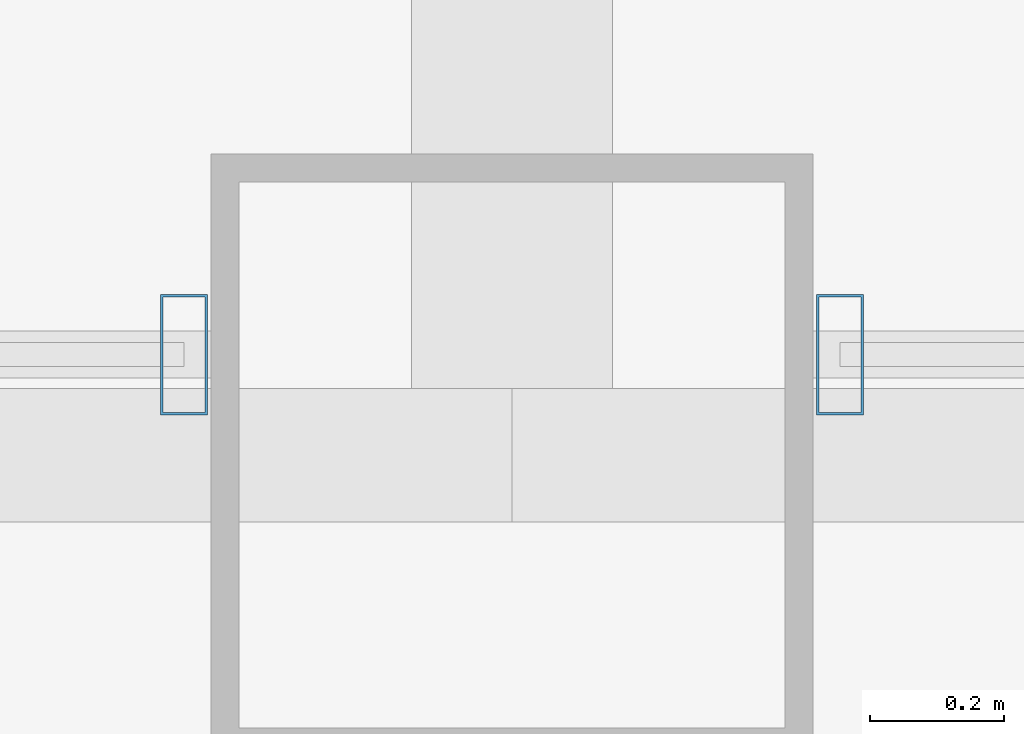
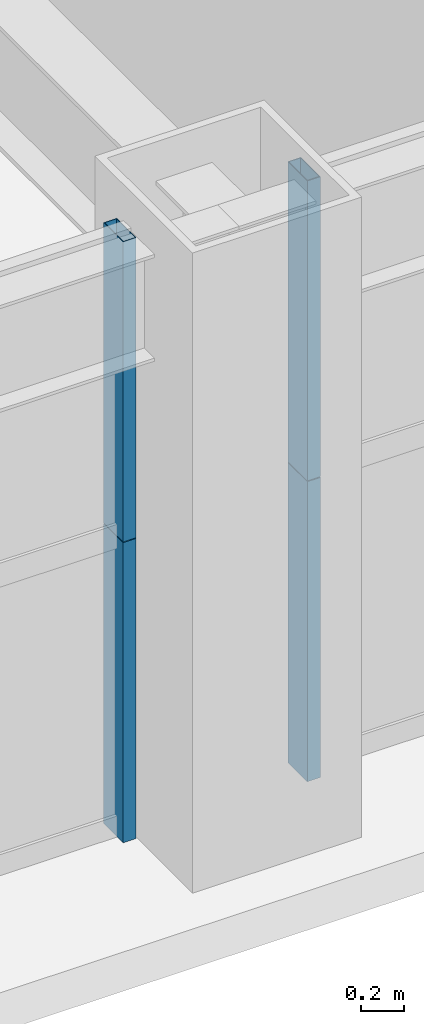
# One storey, part 10 of 39: 4 members, 2 elements without a shape of their own.
"""IFC4 building model written with IfcOpenShell, lengths in metres."""

import ifcopenshell
import ifcopenshell.guid

model = None  # the IFC model being written
_history = None  # IfcOwnerHistory: only IFC2X3 demands one
_inside = {}  # id of a spatial element -> (the spatial element, [elements in it])
_under = {}  # id of a project, library or spatial element -> (it, [spatial elements below it])
_declared = {}  # id of a project -> (the project, [libraries it declares])
_typed = {}  # id of a type object -> (the type object, [elements of that type])
_made_of = {}  # id of a material, layer set ... -> (it, [elements and type objects made of it])


def new_model(schema):
    """Start an empty IFC model of exactly this schema.

    Asked for "IFC4X3", IfcOpenShell would pick the latest addendum, in which some entities
    have other attributes; the version numbers below select the first issue.
    IFC2X3 requires an IfcOwnerHistory on every rooted entity: one is made here for all.
    """
    global model, _history
    if schema == "IFC4X3":
        model = ifcopenshell.file(schema_version=(4, 3, 0, 0))
    else:
        model = ifcopenshell.file(schema=schema)
    _inside.clear()
    _under.clear()
    _declared.clear()
    _typed.clear()
    _made_of.clear()
    _history = None
    if model.schema == "IFC2X3":
        org = make("IfcOrganization", Name="unknown")
        user = make(
            "IfcPersonAndOrganization",
            ThePerson=make("IfcPerson", FamilyName="unknown"),
            TheOrganization=org,
        )
        app = make(
            "IfcApplication",
            ApplicationDeveloper=org,
            Version="unknown",
            ApplicationFullName="unknown",
            ApplicationIdentifier="unknown",
        )
        _history = make(
            "IfcOwnerHistory",
            OwningUser=user,
            OwningApplication=app,
            ChangeAction="ADDED",
            CreationDate=0,
        )
    return model


def make(cls, **values):
    """One entity of the class cls with the attributes given. An attribute that is None is left unset."""
    return model.create_entity(
        cls, **{name: value for name, value in values.items() if value is not None}
    )


def rooted(cls, **values):
    """An entity with a GlobalId (a new one), such as an element, a storey or a relation."""
    return make(cls, GlobalId=ifcopenshell.guid.new(), OwnerHistory=_history, **values)


def si_unit(unit_type, name, prefix=None):
    """IfcSIUnit, for example si_unit("LENGTHUNIT", "METRE", prefix="MILLI")."""
    return make("IfcSIUnit", UnitType=unit_type, Prefix=prefix, Name=name)


def assignment(units):
    """IfcUnitAssignment: the units of a project."""
    return None if units is None else make("IfcUnitAssignment", Units=units)


def point(xyz):
    """IfcCartesianPoint."""
    return None if xyz is None else make("IfcCartesianPoint", Coordinates=xyz)


def direction(xyz):
    """IfcDirection."""
    return None if xyz is None else make("IfcDirection", DirectionRatios=xyz)


def frame(location, z_axis=None, x_axis=None):
    """IfcAxis2Placement3D, a coordinate frame: its origin and axes. An axis left out is left unset."""
    return make(
        "IfcAxis2Placement3D",
        Location=point(location),
        Axis=direction(z_axis),
        RefDirection=direction(x_axis),
    )


def frame_2d(location, x_axis=None):
    """IfcAxis2Placement2D, a coordinate frame in the plane: its origin and x axis."""
    return make(
        "IfcAxis2Placement2D", Location=point(location), RefDirection=direction(x_axis)
    )


def origin():
    """The frame at (0, 0, 0) with its axes left unset."""
    return frame((0.0, 0.0, 0.0))


def origin_2d():
    """The frame at (0, 0) in the plane with its x axis left unset."""
    return frame_2d((0.0, 0.0))


def place(relative_to, where):
    """IfcLocalPlacement: puts the frame where relative to a parent placement (None: the world)."""
    return make(
        "IfcLocalPlacement", PlacementRelTo=relative_to, RelativePlacement=where
    )


def context(
    kind, dimensions, precision=None, world=None, true_north=None, identifier=None
):
    """IfcGeometricRepresentationContext, for example the 3D "Model" context."""
    return make(
        "IfcGeometricRepresentationContext",
        ContextIdentifier=identifier,
        ContextType=kind,
        CoordinateSpaceDimension=dimensions,
        Precision=precision,
        WorldCoordinateSystem=world,
        TrueNorth=true_north,
    )


def subcontext(parent, identifier, kind, view, scale=None):
    """IfcGeometricRepresentationSubContext, for example "Body" below "Model"."""
    return make(
        "IfcGeometricRepresentationSubContext",
        ContextIdentifier=identifier,
        ContextType=kind,
        ParentContext=parent,
        TargetScale=scale,
        TargetView=view,
    )


def project(units=None, contexts=None):
    """IfcProject with its units and contexts."""
    return rooted(
        "IfcProject",
        Name="project",
        RepresentationContexts=contexts,
        UnitsInContext=assignment(units),
    )


def spatial(cls, under=None, at=None, **own):
    """A site, building, storey or space (cls), placed at a placement, below another one or the project."""
    s = rooted(cls, ObjectPlacement=at, **own)
    if under is not None:
        _under.setdefault(under.id(), (under, []))[1].append(s)
    return s


def profile(cls, at=None, kind="AREA", **sizes):
    """A parametric profile (cls). Its sizes go by their IFC names, for example OverallWidth=200.0."""
    return make(cls, ProfileType=kind, Position=at, **sizes)


def hollow_rectangle(**sizes):
    """IfcRectangleHollowProfileDef."""
    return profile("IfcRectangleHollowProfileDef", **sizes)


def extrude(swept, where, along, depth):
    """IfcExtrudedAreaSolid: the profile swept, set in the frame where, extruded along a direction by depth."""
    return make(
        "IfcExtrudedAreaSolid",
        SweptArea=swept,
        Position=where,
        ExtrudedDirection=direction(along),
        Depth=depth,
    )


def shape(context_of_items, identifier, shape_type, items):
    """IfcShapeRepresentation: the items that make up one representation, for example the "Body"."""
    return make(
        "IfcShapeRepresentation",
        ContextOfItems=context_of_items,
        RepresentationIdentifier=identifier,
        RepresentationType=shape_type,
        Items=items,
    )


def source(mapping_origin, context_of_items, identifier, shape_type, items):
    """IfcRepresentationMap: a shape defined once, which mapped items show again and again."""
    return make(
        "IfcRepresentationMap",
        MappingOrigin=mapping_origin,
        MappedRepresentation=shape(context_of_items, identifier, shape_type, items),
    )


def transform(
    local_origin,
    x_axis=None,
    y_axis=None,
    z_axis=None,
    scale=None,
    scale2=None,
    scale3=None,
    uniform=True,
):
    """IfcCartesianTransformationOperator3D, or its non-uniform kind. x_axis, y_axis, z_axis: its Axis1, 2, 3."""
    if uniform:
        return make(
            "IfcCartesianTransformationOperator3D",
            Axis1=direction(x_axis),
            Axis2=direction(y_axis),
            LocalOrigin=point(local_origin),
            Scale=scale,
            Axis3=direction(z_axis),
        )
    return make(
        "IfcCartesianTransformationOperator3DnonUniform",
        Axis1=direction(x_axis),
        Axis2=direction(y_axis),
        LocalOrigin=point(local_origin),
        Scale=scale,
        Axis3=direction(z_axis),
        Scale2=scale2,
        Scale3=scale3,
    )


def mapped(mapping_source, mapping_target):
    """IfcMappedItem: shows the shape of a source again, moved by a transform."""
    return make(
        "IfcMappedItem", MappingSource=mapping_source, MappingTarget=mapping_target
    )


def material(Name=None, Category=None):
    """IfcMaterial."""
    return make("IfcMaterial", Name=Name, Category=Category)


def layer(
    of_material, thickness, ventilated=None, Name=None, Category=None, Priority=None
):
    """IfcMaterialLayer: one layer of a wall or slab, of a material (None: an air gap)."""
    return make(
        "IfcMaterialLayer",
        Material=of_material,
        LayerThickness=thickness,
        IsVentilated=ventilated,
        Name=Name,
        Category=Category,
        Priority=Priority,
    )


def layer_set(layers, Name=None):
    """IfcMaterialLayerSet."""
    return make("IfcMaterialLayerSet", MaterialLayers=layers, LayerSetName=Name)


def material_profile(
    of_material, cross_section, Name=None, Category=None, Priority=None
):
    """IfcMaterialProfile: a cross section and its material."""
    return make(
        "IfcMaterialProfile",
        Name=Name,
        Material=of_material,
        Profile=cross_section,
        Priority=Priority,
        Category=Category,
    )


def profile_set(profiles, Name=None, composite=None):
    """IfcMaterialProfileSet."""
    return make(
        "IfcMaterialProfileSet",
        Name=Name,
        MaterialProfiles=profiles,
        CompositeProfile=composite,
    )


def made_of(thing, what):
    """Note that an element or type object is made of a material, layer set ...; save() writes the relation."""
    if what is not None:
        _made_of.setdefault(what.id(), (what, []))[1].append(thing)
    return thing


def type_object(cls, material=None, **own):
    """A type object (cls), such as IfcWallType, which elements share."""
    return made_of(rooted(cls, **own), material)


def element(
    cls,
    number,
    at=None,
    inside=None,
    cuts=None,
    type_object=None,
    material=None,
    context=None,
    identifier="Body",
    shape_type=None,
    held_by="IfcProductDefinitionShape",
    body=None,
    shapes=None,
    **own,
):
    """One element of the class cls, such as IfcWall. Its Tag is "e" and its number.

    at: its placement. inside: the storey or other place that contains it. cuts: it is an
    opening in that element (IfcRelVoidsElement). A single representation is given by context,
    identifier, shape_type and body (its items); several are given by shapes. held_by: the class
    of the entity that holds the representations. save() writes the other relations.
    """
    e = rooted(cls, Tag="e%d" % number, ObjectPlacement=at, **own)
    if body is not None:
        shapes = [shape(context, identifier, shape_type, body)]
    if shapes is not None:
        e.Representation = make(held_by, Representations=shapes)
    if inside is not None:
        _inside.setdefault(inside.id(), (inside, []))[1].append(e)
    if cuts is not None:
        rooted(
            "IfcRelVoidsElement", RelatingBuildingElement=cuts, RelatedOpeningElement=e
        )
    if type_object is not None:
        _typed.setdefault(type_object.id(), (type_object, []))[1].append(e)
    return made_of(e, material)


def aggregate(whole, parts):
    """IfcRelAggregates: a whole, such as a stair, and the parts it consists of."""
    return rooted("IfcRelAggregates", RelatingObject=whole, RelatedObjects=parts)


def save(model, path):
    """Write the relations noted so far, then the file.

    IfcRelAggregates (storeys below a building ...), IfcRelContainedInSpatialStructure (elements
    in a storey), IfcRelDefinesByType, IfcRelAssociatesMaterial and IfcRelDeclares: one each for
    every whole, place, type object, material and project.
    """
    for whole, parts in _under.values():
        aggregate(whole, parts)
    for where, things in _inside.values():
        rooted(
            "IfcRelContainedInSpatialStructure",
            RelatedElements=things,
            RelatingStructure=where,
        )
    for kind, things in _typed.values():
        rooted("IfcRelDefinesByType", RelatedObjects=things, RelatingType=kind)
    for what, things in _made_of.values():
        rooted("IfcRelAssociatesMaterial", RelatedObjects=things, RelatingMaterial=what)
    for by, libraries in _declared.values():
        rooted("IfcRelDeclares", RelatingContext=by, RelatedDefinitions=libraries)
    model.write(path)


model = new_model("IFC4")

# Units and contexts
model_context = context("Model", 3, precision=1e-05, world=origin(), true_north=direction((0.0, 1.0)))
body_context = subcontext(model_context, "Body", "Model", "MODEL_VIEW")
ifc_project = project(units=[si_unit("LENGTHUNIT", "METRE"), si_unit("AREAUNIT", "SQUARE_METRE"), si_unit("VOLUMEUNIT", "CUBIC_METRE"), si_unit("PLANEANGLEUNIT", "RADIAN"), si_unit("MASSUNIT", "GRAM", prefix="KILO"), si_unit("THERMODYNAMICTEMPERATUREUNIT", "KELVIN"), si_unit("POWERUNIT", "WATT")], contexts=[model_context])

# Site, building, storey
site_placement = place(None, origin())
site = spatial("IfcSite", under=ifc_project, at=site_placement, CompositionType="ELEMENT")
building_placement = place(site_placement, origin())
building = spatial("IfcBuilding", under=site, at=building_placement, Name="Yuzanri Waterfront Tower", CompositionType="ELEMENT")
storey_placement = place(building_placement, frame((0.0, 0.0, 156.0)))
storey = spatial("IfcBuildingStorey", under=building, at=storey_placement, Name="L41", CompositionType="ELEMENT", Elevation=156.0)

# Curtain wall, members
ifc_material_1 = material(Name="Anodized Architectural Bronze", Category="metal")
ifc_layer = layer(ifc_material_1, 0.159912109375)
ifc_layer_set = layer_set([ifc_layer], Name="Anodized Architectural Bronze")
curtain_wall_type = type_object("IfcCurtainWallType", Name="Anodized Bronze Hotel Upper-Tier Solar-Control Unitized Curtain Wall 7800", PredefinedType="NOTDEFINED", material=ifc_layer_set)
curtain_wall_1_placement = place(storey_placement, origin())
curtain_wall_1 = element("IfcCurtainWall", 1, at=curtain_wall_1_placement, inside=storey, type_object=curtain_wall_type, Name="L41 Curtain Wall CW-L41-SL", PredefinedType="NOTDEFINED")
ifc_material_2 = material(Name="Anodized Architectural Bronze", Category="metal")
ifc_material_profile = material_profile(ifc_material_2, hollow_rectangle(XDim=0.070068359375, YDim=0.179931640625, WallThickness=0.00390625, at=origin_2d()), Name="CWM 70x180")
ifc_profile_set = profile_set([ifc_material_profile], Name="Anodized Architectural Bronze")
member_type = type_object("IfcMemberType", Name="Anodized Bronze Standard Curtain-Wall Mullion 70x180", PredefinedType="MULLION", material=ifc_profile_set)
shared_shape = source(origin(), body_context, "Body", "SweptSolid", [
    extrude(hollow_rectangle(XDim=0.070068359375, YDim=0.179931640625, WallThickness=0.00390625, at=origin_2d()), origin(), (0.0, 0.0, 1.0), 1.68798828125),
])
member_1_placement = place(storey_placement, frame((36.510009765625, 2.35009765625, 0.0), z_axis=(0.0, 0.0, 1.0), x_axis=(1.0, 0.0, 0.0)))
member_1 = element("IfcMember", 2, at=member_1_placement, type_object=member_type, Name="CW-L41-SL Lower Mullion 02", PredefinedType="MULLION", context=body_context, shape_type="MappedRepresentation", body=[
    mapped(shared_shape, transform((0.0, 0.0, 0.0), scale=1.0)),
])
member_2_placement = place(storey_placement, frame((36.510009765625, 2.35009765625, 1.69189453125), z_axis=(0.0, 0.0, 1.0), x_axis=(1.0, 0.0, 0.0)))
member_2 = element("IfcMember", 3, at=member_2_placement, type_object=member_type, Name="CW-L41-SL Upper Mullion 02", PredefinedType="MULLION", context=body_context, shape_type="MappedRepresentation", body=[
    mapped(shared_shape, transform((0.0, 0.0, 0.0), scale=1.0)),
])
aggregate(curtain_wall_1, [member_1, member_2])

curtain_wall_2_placement = place(storey_placement, origin())
curtain_wall_2 = element("IfcCurtainWall", 4, at=curtain_wall_2_placement, inside=storey, type_object=curtain_wall_type, Name="L41 Curtain Wall CW-L41-SR", PredefinedType="NOTDEFINED")
member_3_placement = place(storey_placement, frame((37.489990234375, 2.35009765625, 0.0), z_axis=(0.0, 0.0, 1.0), x_axis=(1.0, 0.0, 0.0)))
member_3 = element("IfcMember", 5, at=member_3_placement, type_object=member_type, Name="CW-L41-SR Lower Mullion 00", PredefinedType="MULLION", context=body_context, shape_type="MappedRepresentation", body=[
    mapped(shared_shape, transform((0.0, 0.0, 0.0), scale=1.0)),
])
member_4_placement = place(storey_placement, frame((37.489990234375, 2.35009765625, 1.69189453125), z_axis=(0.0, 0.0, 1.0), x_axis=(1.0, 0.0, 0.0)))
member_4 = element("IfcMember", 6, at=member_4_placement, type_object=member_type, Name="CW-L41-SR Upper Mullion 00", PredefinedType="MULLION", context=body_context, shape_type="MappedRepresentation", body=[
    mapped(shared_shape, transform((0.0, 0.0, 0.0), scale=1.0)),
])
aggregate(curtain_wall_2, [member_3, member_4])

save(model, "model.ifc")
